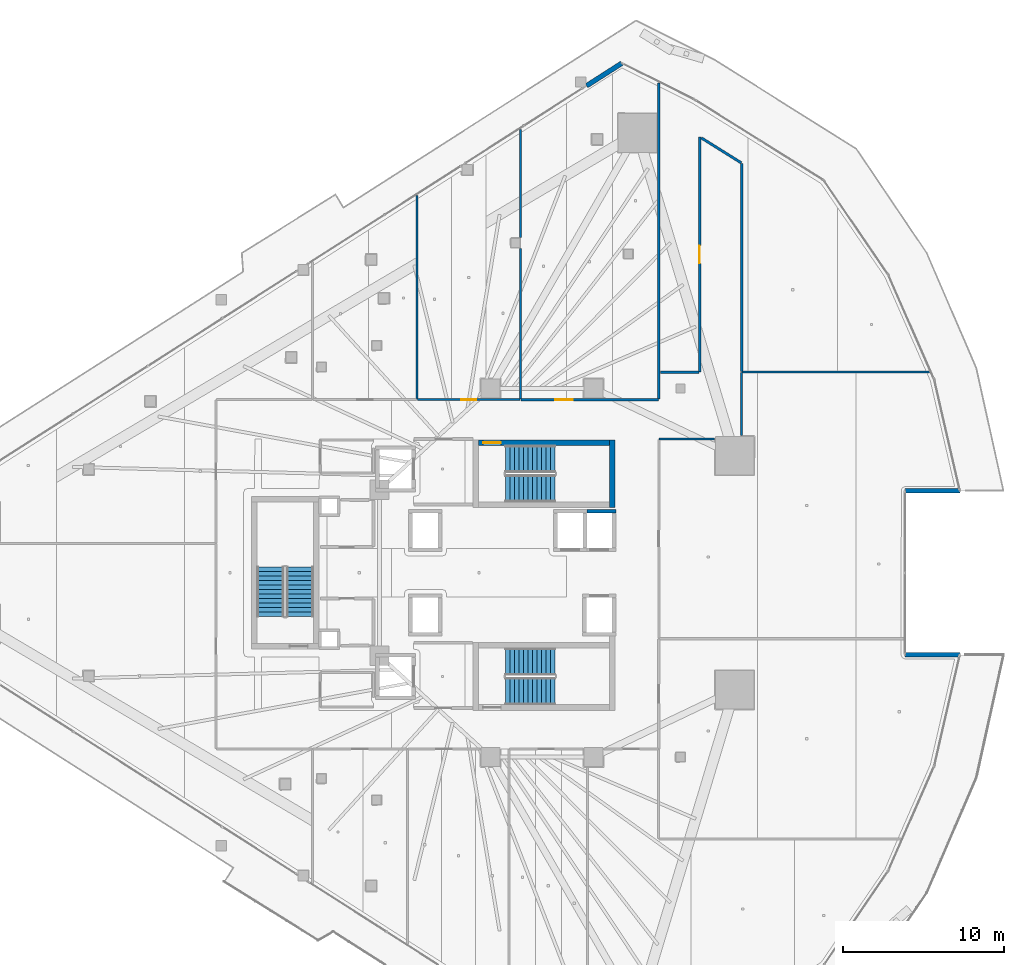
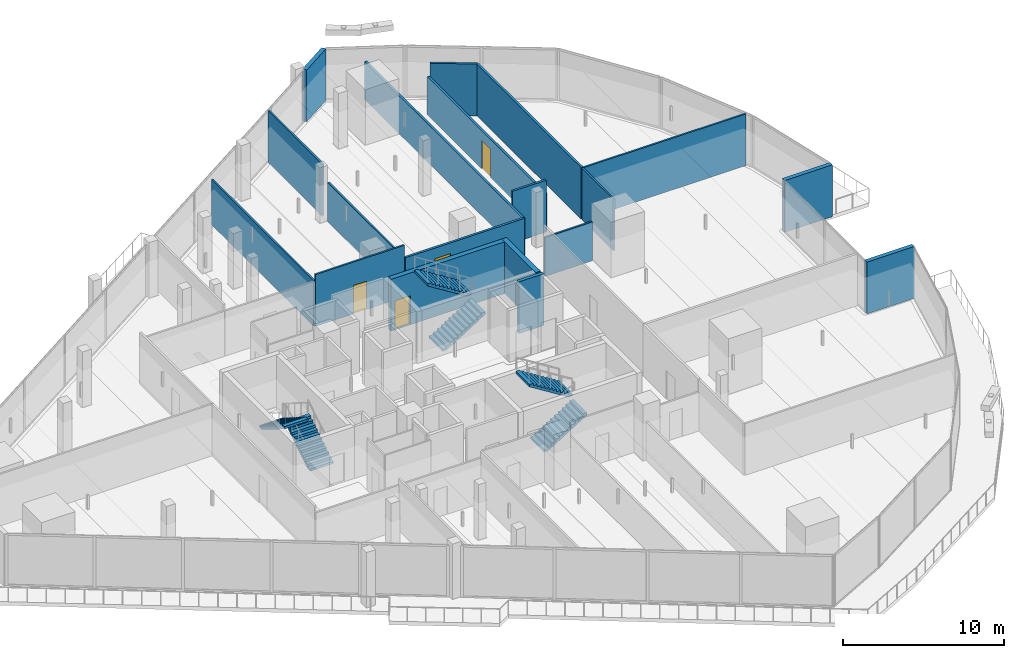
# One storey, part 31 of 45: 19 walls, 6 stair flights, 4 doors, 4 openings, 3 elements without a shape of their own.
"""IFC4 building model written with IfcOpenShell, lengths in metres."""

from ifc_helpers import new_model, si_unit, direction, frame, frame_2d, origin, place, context, subcontext, project, spatial, polyline, rectangle, outline, extrude, material, layer, layer_set, type_object, element, fill, aggregate, save


model = new_model("IFC4")

# Units and contexts
model_context = context("Model", 3, precision=1e-05, world=origin(), true_north=direction((0.0, 1.0)))
body_context = subcontext(model_context, "Body", "Model", "MODEL_VIEW")
ifc_project = project(units=[si_unit("LENGTHUNIT", "METRE"), si_unit("AREAUNIT", "SQUARE_METRE"), si_unit("VOLUMEUNIT", "CUBIC_METRE"), si_unit("PLANEANGLEUNIT", "RADIAN"), si_unit("MASSUNIT", "GRAM", prefix="KILO")], contexts=[model_context])

# Site, building, storey
site_placement = place(None, origin())
site = spatial("IfcSite", under=ifc_project, at=site_placement, CompositionType="ELEMENT")
building_placement = place(site_placement, origin())
building = spatial("IfcBuilding", under=site, at=building_placement, Name="Qorvath Tower", CompositionType="ELEMENT")
storey_placement = place(building_placement, frame((0.0, 0.0, 91.199951171875)))
storey = spatial("IfcBuildingStorey", under=building, at=storey_placement, Name="L20", CompositionType="ELEMENT", Elevation=91.199951171875)

# Wall, opening, door
ifc_material_1 = material(Name="Double acoustic gypsum board on steel studs", Category="steel")
ifc_layer_1 = layer(ifc_material_1, 0.159912109375)
ifc_layer_set_1 = layer_set([ifc_layer_1], Name="IW-ACOUSTIC-160")
wall_type_1 = type_object("IfcWallType", Name="IW-ACOUSTIC-160", PredefinedType="PARTITIONING", material=ifc_layer_set_1)
wall_1_placement = place(storey_placement, frame((-21.716796875, 10.758056640625, 0.0), z_axis=(0.0, 0.0, 1.0), x_axis=(1.0, 0.0, 0.0)))
wall_1 = element("IfcWall", 1, at=wall_1_placement, inside=storey, type_object=wall_type_1, Name="Interior Partition IW-T1-L20-025", PredefinedType="PARTITIONING", context=body_context, shape_type="SweptSolid", body=[
    extrude(rectangle(XDim=8.5419921875, YDim=0.159912109375, at=frame_2d((4.27099609375, 0.0))), origin(), (0.0, 0.0, 1.0), 2.95703125),
])
opening_1_placement = place(wall_1_placement, frame((2.126220703125, 0.0, 0.0)))
opening_1 = element("IfcOpeningElement", 2, at=opening_1_placement, cuts=wall_1, Name="Opening D-T1-L20-07", PredefinedType="OPENING", context=body_context, shape_type="SweptSolid", body=[
    extrude(rectangle(XDim=1.10009765625, YDim=2.14990234375, at=frame_2d((0.550048828125, 1.074951171875))), frame((0.0, 0.08984375, 0.0), z_axis=(0.0, -1.0, 0.0), x_axis=(1.0, 0.0, 0.0)), (0.0, 0.0, 1.0), 0.179931640625),
])
ifc_material_2 = material(Name="Anodised aluminium acoustic framed glass", Category="aluminium")
door_type_1 = type_object("IfcDoorType", Name="D-03", OperationType="NOTDEFINED", PredefinedType="DOOR", material=ifc_material_2)
door_1_placement = place(opening_1_placement, origin())
door_1 = element("IfcDoor", 3, at=door_1_placement, inside=storey, type_object=door_type_1, Name="L20-03 Client Services Office Door D-T1-L20-07", OperationType="SINGLE_SWING_RIGHT", OverallHeight=2.14990234375, OverallWidth=1.10009765625, PredefinedType="DOOR", context=body_context, shape_type="SweptSolid", body=[
    extrude(rectangle(XDim=1.10009765625, YDim=2.14990234375, at=frame_2d((0.550048828125, 1.074951171875))), frame((0.0, 0.02490234375, 0.0), z_axis=(0.0, -1.0, 0.0), x_axis=(1.0, 0.0, 0.0)), (0.0, 0.0, 1.0), 0.050048828125),
])
fill(opening_1, door_1)

# Walls
wall_2_placement = place(storey_placement, frame((-13.14990234375, 10.783203125, 0.0), z_axis=(0.0, 0.0, 1.0), x_axis=(0.0, 1.0, 0.0)))
element("IfcWall", 4, at=wall_2_placement, inside=storey, type_object=wall_type_1, Name="Interior Partition IW-T1-L20-026", PredefinedType="PARTITIONING", context=body_context, shape_type="SweptSolid", body=[
    extrude(rectangle(XDim=19.651123046875, YDim=0.159912109375, at=frame_2d((9.82568359375, 0.0))), origin(), (0.0, 0.0, 1.0), 2.89013671875),
])
wall_3_placement = place(storey_placement, frame((-13.039794921875, 12.464111328125, 0.0), z_axis=(0.0, 0.0, 1.0), x_axis=(1.0, 0.0, 0.0)))
element("IfcWall", 5, at=wall_3_placement, inside=storey, type_object=wall_type_1, Name="Interior Partition IW-T1-L20-043", PredefinedType="PARTITIONING", context=body_context, shape_type="SweptSolid", body=[
    extrude(rectangle(XDim=2.406982421875, YDim=0.159912109375, at=frame_2d((1.20361328125, 0.0))), origin(), (0.0, 0.0, 1.0), 3.920166015625),
])

# Wall, opening, door
wall_4_placement = place(storey_placement, frame((-10.60791015625, 27.066650390625, 0.0), z_axis=(0.0, 0.0, 1.0), x_axis=(0.0, -1.0, 0.0)))
wall_4 = element("IfcWall", 6, at=wall_4_placement, inside=storey, type_object=wall_type_1, Name="Interior Partition IW-T1-L20-044", PredefinedType="PARTITIONING", context=body_context, shape_type="SweptSolid", body=[
    extrude(rectangle(XDim=14.57763671875, YDim=0.159912109375, at=frame_2d((7.288818359375, 0.0))), origin(), (0.0, 0.0, 1.0), 2.89013671875),
])
opening_2_placement = place(wall_4_placement, frame((6.73876953125, 0.0, 0.0)))
opening_2 = element("IfcOpeningElement", 7, at=opening_2_placement, cuts=wall_4, Name="Opening D-T1-L20-14", PredefinedType="OPENING", context=body_context, shape_type="SweptSolid", body=[
    extrude(rectangle(XDim=1.10009765625, YDim=2.14990234375, at=frame_2d((0.550048828125, 1.074951171875))), frame((0.0, 0.08984375, 0.0), z_axis=(0.0, -1.0, 0.0), x_axis=(1.0, 0.0, 0.0)), (0.0, 0.0, 1.0), 0.179931640625),
])
door_2_placement = place(opening_2_placement, origin())
door_2 = element("IfcDoor", 8, at=door_2_placement, inside=storey, type_object=door_type_1, Name="L20-10 Team Project Office Door D-T1-L20-14", OperationType="SINGLE_SWING_LEFT", OverallHeight=2.14990234375, OverallWidth=1.10009765625, PredefinedType="DOOR", context=body_context, shape_type="SweptSolid", body=[
    extrude(rectangle(XDim=1.10009765625, YDim=2.14990234375, at=frame_2d((0.550048828125, 1.074951171875))), frame((0.0, 0.02490234375, 0.0), z_axis=(0.0, -1.0, 0.0), x_axis=(1.0, 0.0, 0.0)), (0.0, 0.0, 1.0), 0.050048828125),
])
fill(opening_2, door_2)

# Walls
wall_5_placement = place(storey_placement, frame((-8.01318359375, 25.471435546875, 0.0), z_axis=(0.0, 0.0, 1.0), x_axis=(-0.848208611734, 0.529662298998, 0.0)))
element("IfcWall", 9, at=wall_5_placement, inside=storey, type_object=wall_type_1, Name="Interior Partition IW-T1-L20-045", PredefinedType="PARTITIONING", context=body_context, shape_type="SweptSolid", body=[
    extrude(rectangle(XDim=2.933837890625, YDim=0.159912109375, at=frame_2d((1.466796875, 0.0))), origin(), (0.0, 0.0, 1.0), 3.920166015625),
])
wall_6_placement = place(storey_placement, frame((-7.991943359375, 25.433349609375, 0.0), z_axis=(0.0, 0.0, 1.0), x_axis=(0.0, -1.0, 0.0)))
element("IfcWall", 10, at=wall_6_placement, inside=storey, type_object=wall_type_1, Name="Interior Partition IW-T1-L20-046", PredefinedType="PARTITIONING", context=body_context, shape_type="SweptSolid", body=[
    extrude(rectangle(XDim=12.93603515625, YDim=0.159912109375, at=frame_2d((6.468017578125, 0.0))), origin(), (0.0, 0.0, 1.0), 3.920166015625),
])
ifc_material_3 = material(Name="Gypsum board on metal studs with mineral wool", Category="gypsum")
ifc_layer_2 = layer(ifc_material_3, 0.125)
ifc_layer_set_2 = layer_set([ifc_layer_2], Name="IW-PART-125")
wall_type_2 = type_object("IfcWallType", Name="IW-PART-125", PredefinedType="PARTITIONING", material=ifc_layer_set_2)
wall_7_placement = place(storey_placement, frame((-28.17041015625, 10.783203125, 0.0), z_axis=(0.0, 0.0, 1.0), x_axis=(0.0, 1.0, 0.0)))
element("IfcWall", 11, at=wall_7_placement, inside=storey, type_object=wall_type_2, Name="Interior Partition IW-T1-L20-020", PredefinedType="PARTITIONING", context=body_context, shape_type="SweptSolid", body=[
    extrude(rectangle(XDim=12.66650390625, YDim=0.125, at=frame_2d((6.333251953125, 0.0))), origin(), (0.0, 0.0, 1.0), 3.43310546875),
])

# Wall, opening, door
wall_8_placement = place(storey_placement, frame((-28.1376953125, 10.758056640625, 0.0), z_axis=(0.0, 0.0, 1.0), x_axis=(1.0, 0.0, 0.0)))
wall_8 = element("IfcWall", 12, at=wall_8_placement, inside=storey, type_object=wall_type_2, Name="Interior Partition IW-T1-L20-022", PredefinedType="PARTITIONING", context=body_context, shape_type="SweptSolid", body=[
    extrude(rectangle(XDim=6.36328125, YDim=0.125, at=frame_2d((3.181640625, 0.0))), origin(), (0.0, 0.0, 1.0), 3.920166015625),
])
opening_3_placement = place(wall_8_placement, frame((2.70654296875, 0.0, 0.0)))
opening_3 = element("IfcOpeningElement", 13, at=opening_3_placement, cuts=wall_8, Name="Opening D-T1-L20-06", PredefinedType="OPENING", context=body_context, shape_type="SweptSolid", body=[
    extrude(rectangle(XDim=0.949951171875, YDim=2.14990234375, at=frame_2d((0.47509765625, 1.074951171875))), frame((0.0, 0.072509765625, 0.0), z_axis=(0.0, -1.0, 0.0), x_axis=(1.0, 0.0, 0.0)), (0.0, 0.0, 1.0), 0.14501953125),
])
ifc_material_4 = material(Name="Solid-core American white oak veneer", Category="wood")
door_type_2 = type_object("IfcDoorType", Name="D-01", OperationType="NOTDEFINED", PredefinedType="DOOR", material=ifc_material_4)
door_3_placement = place(opening_3_placement, origin())
door_3 = element("IfcDoor", 14, at=door_3_placement, inside=storey, type_object=door_type_2, Name="L20-02 Staff Refreshment Pantry and Coffee Bar Door D-T1-L20-06", OperationType="SINGLE_SWING_LEFT", OverallHeight=2.14990234375, OverallWidth=0.949951171875, PredefinedType="DOOR", context=body_context, shape_type="SweptSolid", body=[
    extrude(rectangle(XDim=0.949951171875, YDim=2.14990234375, at=frame_2d((0.47509765625, 1.074951171875))), frame((0.0, 0.02490234375, 0.0), z_axis=(0.0, -1.0, 0.0), x_axis=(1.0, 0.0, 0.0)), (0.0, 0.0, 1.0), 0.050048828125),
])
fill(opening_3, door_3)

# Walls
wall_9_placement = place(storey_placement, frame((-21.74951171875, 10.783203125, 0.0), z_axis=(0.0, 0.0, 1.0), x_axis=(0.0, 1.0, 0.0)))
element("IfcWall", 15, at=wall_9_placement, inside=storey, type_object=wall_type_2, Name="Interior Partition IW-T1-L20-023", PredefinedType="PARTITIONING", context=body_context, shape_type="SweptSolid", body=[
    extrude(rectangle(XDim=9.37158203125, YDim=0.125, at=frame_2d((4.685791015625, 0.0))), origin(), (0.0, 0.0, 1.0), 2.95703125),
])
wall_10_placement = place(storey_placement, frame((-21.74951171875, 20.8349609375, 0.0), z_axis=(0.0, 0.0, 1.0), x_axis=(0.0, 1.0, 0.0)))
element("IfcWall", 16, at=wall_10_placement, inside=storey, type_object=wall_type_2, Name="Interior Partition IW-T1-L20-024", PredefinedType="PARTITIONING", context=body_context, shape_type="SweptSolid", body=[
    extrude(rectangle(XDim=6.718505859375, YDim=0.125, at=frame_2d((3.359375, 0.0))), origin(), (0.0, 0.0, 1.0), 3.920166015625),
])
wall_11_placement = place(storey_placement, frame((3.6962890625, 12.464111328125, 0.0), z_axis=(0.0, 0.0, 1.0), x_axis=(-1.0, 0.0, 0.0)))
element("IfcWall", 17, at=wall_11_placement, inside=storey, type_object=wall_type_2, Name="Interior Partition IW-T1-L20-039", PredefinedType="PARTITIONING", context=body_context, shape_type="SweptSolid", body=[
    extrude(rectangle(XDim=11.6630859375, YDim=0.125, at=frame_2d((5.83154296875, 0.0))), origin(), (0.0, 0.0, 1.0), 3.920166015625),
])
wall_12_placement = place(storey_placement, frame((-7.991943359375, 12.439208984375, 0.0), z_axis=(0.0, 0.0, 1.0), x_axis=(0.0, -1.0, 0.0)))
element("IfcWall", 18, at=wall_12_placement, inside=storey, type_object=wall_type_2, Name="Interior Partition IW-T1-L20-040", PredefinedType="PARTITIONING", context=body_context, shape_type="SweptSolid", body=[
    extrude(rectangle(XDim=3.897705078125, YDim=0.125, at=frame_2d((1.94873046875, 0.0))), origin(), (0.0, 0.0, 1.0), 3.920166015625),
])
wall_13_placement = place(storey_placement, frame((-9.6953125, 8.31201171875, 0.0), z_axis=(0.0, 0.0, 1.0), x_axis=(-1.0, 0.0, 0.0)))
element("IfcWall", 19, at=wall_13_placement, inside=storey, type_object=wall_type_2, Name="Interior Partition IW-T1-L20-041", PredefinedType="PARTITIONING", context=body_context, shape_type="SweptSolid", body=[
    extrude(rectangle(XDim=3.421875, YDim=0.125, at=frame_2d((1.7109375, 0.0))), origin(), (0.0, 0.0, 1.0), 2.95703125),
])
ifc_material_5 = material(Name="Concrete C60/75", Category="concrete")
ifc_layer_3 = layer(ifc_material_5, 0.260009765625)
ifc_layer_set_3 = layer_set([ifc_layer_3], Name="SW-SHAFT")
wall_type_3 = type_object("IfcWallType", Name="SW-SHAFT", PredefinedType="SHEAR", material=ifc_layer_set_3)
wall_14_placement = place(storey_placement, frame((-17.610107421875, 3.820068359375, 0.0), z_axis=(0.0, 0.0, 1.0), x_axis=(1.0, 0.0, 0.0)))
element("IfcWall", 20, at=wall_14_placement, inside=storey, type_object=wall_type_3, Name="Hoistway Wall PL-3 L20 N", PredefinedType="SHEAR", context=body_context, shape_type="SweptSolid", body=[
    extrude(rectangle(XDim=1.800048828125, YDim=0.239990234375, at=frame_2d((0.89990234375, 0.0))), origin(), (0.0, 0.0, 1.0), 3.920166015625),
])
ifc_material_6 = material(Name="Concrete C60/75", Category="concrete")
ifc_layer_4 = layer(ifc_material_6, 0.35009765625)
ifc_layer_set_4 = layer_set([ifc_layer_4], Name="SW-STAIR")
wall_type_4 = type_object("IfcWallType", Name="SW-STAIR", PredefinedType="SHEAR", material=ifc_layer_set_4)
wall_15_placement = place(storey_placement, frame((-16.02490234375, 4.050048828125, 0.0), z_axis=(0.0, 0.0, 1.0), x_axis=(0.0, 1.0, 0.0)))
element("IfcWall", 21, at=wall_15_placement, inside=storey, type_object=wall_type_4, Name="Stair TS1 Shear Wall L20 FAR", PredefinedType="SHEAR", context=body_context, shape_type="SweptSolid", body=[
    extrude(rectangle(XDim=4.2099609375, YDim=0.35009765625, at=frame_2d((2.10498046875, 0.0))), origin(), (0.0, 0.0, 1.0), 3.920166015625),
])

# Wall, opening, door
wall_16_placement = place(storey_placement, frame((-16.215087890625, 8.0849609375, 0.0), z_axis=(0.0, 0.0, 1.0), x_axis=(-1.0, 0.0, 0.0)))
wall_16 = element("IfcWall", 22, at=wall_16_placement, inside=storey, type_object=wall_type_4, Name="Stair TS1 Shear Wall L20 RIGHT", PredefinedType="SHEAR", context=body_context, shape_type="SweptSolid", body=[
    extrude(rectangle(XDim=8.119873046875, YDim=0.35009765625, at=frame_2d((4.06005859375, 0.0))), origin(), (0.0, 0.0, 1.0), 3.920166015625),
])
opening_4_placement = place(wall_16_placement, frame((6.739990234375, 0.0, 0.0)))
opening_4 = element("IfcOpeningElement", 23, at=opening_4_placement, cuts=wall_16, Name="Opening D-TS1-L20", PredefinedType="OPENING", context=body_context, shape_type="SweptSolid", body=[
    extrude(rectangle(XDim=1.10009765625, YDim=2.199951171875, at=frame_2d((0.550048828125, 1.10009765625))), frame((0.0, 0.18505859375, 0.0), z_axis=(0.0, -1.0, 0.0), x_axis=(1.0, 0.0, 0.0)), (0.0, 0.0, 1.0), 0.3701171875),
])
ifc_material_7 = material(Name="Painted galvanised hollow metal", Category="steel")
door_type_3 = type_object("IfcDoorType", Name="FD-90", OperationType="NOTDEFINED", PredefinedType="DOOR", material=ifc_material_7)
door_4_placement = place(opening_4_placement, origin())
door_4 = element("IfcDoor", 24, at=door_4_placement, inside=storey, type_object=door_type_3, Name="Stair TS1 Fire Door L20", OperationType="SINGLE_SWING_LEFT", OverallHeight=2.199951171875, OverallWidth=1.10009765625, PredefinedType="DOOR", context=body_context, shape_type="SweptSolid", body=[
    extrude(rectangle(XDim=1.10009765625, YDim=2.199951171875, at=frame_2d((0.550048828125, 1.10009765625))), frame((0.0, 0.02490234375, 0.0), z_axis=(0.0, -1.0, 0.0), x_axis=(1.0, 0.0, 0.0)), (0.0, 0.0, 1.0), 0.050048828125),
])
fill(opening_4, door_4)

# Walls
ifc_material_8 = material(Name="Precast concrete C45/55", Category="concrete")
ifc_layer_5 = layer(ifc_material_8, 0.300048828125)
ifc_layer_set_5 = layer_set([ifc_layer_5], Name="WL-EW-LOG-300")
wall_type_5 = type_object("IfcWallType", Name="WL-EW-LOG-300", PredefinedType="SOLIDWALL", material=ifc_layer_set_5)
for number, where, z_axis, x_axis, name in (
    (25, (5.57080078125, -5.09765625, 0.0), (0.0, 0.0, 1.0), (-1.0, 0.0, 0.0), "Tower Precast Loggia Wall L20-8.1"),
    (26, (2.17236328125, 5.09765625, 0.0), (0.0, 0.0, 1.0), (1.0, 0.0, 0.0), "Tower Precast Loggia Wall L20-10.1"),
):
    element("IfcWall", number, at=place(storey_placement, frame(where, z_axis=z_axis, x_axis=x_axis)), inside=storey, type_object=wall_type_5, Name=name, PredefinedType="SOLIDWALL", context=body_context, shape_type="SweptSolid", body=[
        extrude(rectangle(XDim=3.3984375, YDim=0.300048828125, at=frame_2d((1.69921875, 0.0))), origin(), (0.0, 0.0, 1.0), 3.920166015625),
    ])
wall_17_placement = place(storey_placement, frame((-17.6298828125, 30.266357421875, 0.0), z_axis=(0.0, 0.0, 1.0), x_axis=(0.84258941289, 0.538556479198, 0.0)))
element("IfcWall", 27, at=wall_17_placement, inside=storey, type_object=wall_type_5, Name="Tower Precast Loggia Wall L20-16.1", PredefinedType="SOLIDWALL", context=body_context, shape_type="SweptSolid", body=[
    extrude(rectangle(XDim=2.592041015625, YDim=0.300048828125, at=frame_2d((1.2958984375, 0.0))), origin(), (0.0, 0.0, 1.0), 3.920166015625),
])

# Stair, stair flights
ifc_material_9 = material(Name="Concrete C50/60", Category="concrete")
stair_type = type_object("IfcStairType", Name="ST-H420", PredefinedType="HALF_TURN_STAIR", material=ifc_material_9)
stair_1_placement = place(storey_placement, origin())
stair_1 = element("IfcStair", 28, at=stair_1_placement, inside=storey, type_object=stair_type, Name="L20 Tower Exit Stair 1", PredefinedType="HALF_TURN_STAIR")
ifc_material_10 = material(Name="Concrete C50/60", Category="concrete")
ifc_layer_6 = layer(ifc_material_10, 0.14990234375)
ifc_layer_set_6 = layer_set([ifc_layer_6], Name="SF-H420")
stair_flight_type = type_object("IfcStairFlightType", Name="SF-H420", PredefinedType="STRAIGHT", material=ifc_layer_set_6)
stair_flight_1_placement = place(storey_placement, frame((-22.669921875, 5.239990234375, 0.0), z_axis=(0.0, 0.0, 1.0), x_axis=(1.0, 0.0, 0.0)))
stair_flight_1 = element("IfcStairFlight", 29, at=stair_flight_1_placement, type_object=stair_flight_type, Name="TS1 flight 1", NumberOfRisers=12, NumberOfTreads=11, PredefinedType="STRAIGHT", RiserHeight=0.175, TreadLength=0.28, context=body_context, shape_type="SweptSolid", body=[
    extrude(outline(polyline([(0.0, 0.0), (0.0, 0.175048828125), (0.280029296875, 0.175048828125), (0.280029296875, 0.35009765625), (0.56005859375, 0.35009765625), (0.56005859375, 0.52490234375), (0.840087890625, 0.52490234375), (0.840087890625, 0.699951171875), (1.1201171875, 0.699951171875), (1.1201171875, 0.875), (1.39990234375, 0.875), (1.39990234375, 1.050048828125), (1.679931640625, 1.050048828125), (1.679931640625, 1.22509765625), (1.9599609375, 1.22509765625), (1.9599609375, 1.39990234375), (2.239990234375, 1.39990234375), (2.239990234375, 1.574951171875), (2.52001953125, 1.574951171875), (2.52001953125, 1.75), (2.800048828125, 1.75), (2.800048828125, 1.925048828125), (3.080078125, 1.925048828125), (3.080078125, 2.10009765625), (3.080078125, 1.748291015625), (0.28271484375, 0.0), (0.0, 0.0)])), frame((0.0, 0.83984375, 0.0), z_axis=(0.0, -1.0, 0.0), x_axis=(1.0, 0.0, 0.0)), (0.0, 0.0, 1.0), 1.679931640625),
])
stair_flight_2_placement = place(storey_placement, frame((-19.590087890625, 7.070068359375, 2.10009765625), z_axis=(0.0, 0.0, 1.0), x_axis=(-1.0, 0.0, 0.0)))
stair_flight_2 = element("IfcStairFlight", 30, at=stair_flight_2_placement, type_object=stair_flight_type, Name="TS1 flight 2", NumberOfRisers=12, NumberOfTreads=11, PredefinedType="STRAIGHT", RiserHeight=0.175, TreadLength=0.28, context=body_context, shape_type="SweptSolid", body=[
    extrude(outline(polyline([(0.0, 0.0), (0.0, 0.175048828125), (0.280029296875, 0.175048828125), (0.280029296875, 0.35009765625), (0.56005859375, 0.35009765625), (0.56005859375, 0.52490234375), (0.840087890625, 0.52490234375), (0.840087890625, 0.699951171875), (1.1201171875, 0.699951171875), (1.1201171875, 0.875), (1.39990234375, 0.875), (1.39990234375, 1.050048828125), (1.679931640625, 1.050048828125), (1.679931640625, 1.22509765625), (1.9599609375, 1.22509765625), (1.9599609375, 1.39990234375), (2.239990234375, 1.39990234375), (2.239990234375, 1.574951171875), (2.52001953125, 1.574951171875), (2.52001953125, 1.75), (2.800048828125, 1.75), (2.800048828125, 1.925048828125), (3.080078125, 1.925048828125), (3.080078125, 2.10009765625), (3.080078125, 1.748291015625), (0.28271484375, 0.0), (0.0, 0.0)])), frame((0.0, 0.83984375, 0.0), z_axis=(0.0, -1.0, 0.0), x_axis=(1.0, 0.0, 0.0)), (0.0, 0.0, 1.0), 1.679931640625),
])
aggregate(stair_1, [stair_flight_1, stair_flight_2])

stair_2_placement = place(storey_placement, origin())
stair_2 = element("IfcStair", 31, at=stair_2_placement, inside=storey, type_object=stair_type, Name="L20 Tower Exit Stair 2", PredefinedType="HALF_TURN_STAIR")
stair_flight_3_placement = place(storey_placement, frame((-22.669921875, -7.360107421875, 0.0), z_axis=(0.0, 0.0, 1.0), x_axis=(1.0, 0.0, 0.0)))
stair_flight_3 = element("IfcStairFlight", 32, at=stair_flight_3_placement, type_object=stair_flight_type, Name="TS2 flight 1", NumberOfRisers=12, NumberOfTreads=11, PredefinedType="STRAIGHT", RiserHeight=0.175, TreadLength=0.28, context=body_context, shape_type="SweptSolid", body=[
    extrude(outline(polyline([(0.0, 0.0), (0.0, 0.175048828125), (0.280029296875, 0.175048828125), (0.280029296875, 0.35009765625), (0.56005859375, 0.35009765625), (0.56005859375, 0.52490234375), (0.840087890625, 0.52490234375), (0.840087890625, 0.699951171875), (1.1201171875, 0.699951171875), (1.1201171875, 0.875), (1.39990234375, 0.875), (1.39990234375, 1.050048828125), (1.679931640625, 1.050048828125), (1.679931640625, 1.22509765625), (1.9599609375, 1.22509765625), (1.9599609375, 1.39990234375), (2.239990234375, 1.39990234375), (2.239990234375, 1.574951171875), (2.52001953125, 1.574951171875), (2.52001953125, 1.75), (2.800048828125, 1.75), (2.800048828125, 1.925048828125), (3.080078125, 1.925048828125), (3.080078125, 2.10009765625), (3.080078125, 1.748291015625), (0.28271484375, 0.0), (0.0, 0.0)])), frame((0.0, 0.83984375, 0.0), z_axis=(0.0, -1.0, 0.0), x_axis=(1.0, 0.0, 0.0)), (0.0, 0.0, 1.0), 1.679931640625),
])
stair_flight_4_placement = place(storey_placement, frame((-19.590087890625, -5.530029296875, 2.10009765625), z_axis=(0.0, 0.0, 1.0), x_axis=(-1.0, 0.0, 0.0)))
stair_flight_4 = element("IfcStairFlight", 33, at=stair_flight_4_placement, type_object=stair_flight_type, Name="TS2 flight 2", NumberOfRisers=12, NumberOfTreads=11, PredefinedType="STRAIGHT", RiserHeight=0.175, TreadLength=0.28, context=body_context, shape_type="SweptSolid", body=[
    extrude(outline(polyline([(0.0, 0.0), (0.0, 0.175048828125), (0.280029296875, 0.175048828125), (0.280029296875, 0.35009765625), (0.56005859375, 0.35009765625), (0.56005859375, 0.52490234375), (0.840087890625, 0.52490234375), (0.840087890625, 0.699951171875), (1.1201171875, 0.699951171875), (1.1201171875, 0.875), (1.39990234375, 0.875), (1.39990234375, 1.050048828125), (1.679931640625, 1.050048828125), (1.679931640625, 1.22509765625), (1.9599609375, 1.22509765625), (1.9599609375, 1.39990234375), (2.239990234375, 1.39990234375), (2.239990234375, 1.574951171875), (2.52001953125, 1.574951171875), (2.52001953125, 1.75), (2.800048828125, 1.75), (2.800048828125, 1.925048828125), (3.080078125, 1.925048828125), (3.080078125, 2.10009765625), (3.080078125, 1.748291015625), (0.28271484375, 0.0), (0.0, 0.0)])), frame((0.0, 0.83984375, 0.0), z_axis=(0.0, -1.0, 0.0), x_axis=(1.0, 0.0, 0.0)), (0.0, 0.0, 1.0), 1.679931640625),
])
aggregate(stair_2, [stair_flight_3, stair_flight_4])

stair_3_placement = place(storey_placement, origin())
stair_3 = element("IfcStair", 34, at=stair_3_placement, inside=storey, type_object=stair_type, Name="L20 Tower Exit Stair 3", PredefinedType="HALF_TURN_STAIR")
stair_flight_5_placement = place(storey_placement, frame((-35.43994140625, -2.719970703125, 0.0), z_axis=(0.0, 0.0, 1.0), x_axis=(0.0, 1.0, 0.0)))
stair_flight_5 = element("IfcStairFlight", 35, at=stair_flight_5_placement, type_object=stair_flight_type, Name="TS3 flight 1", NumberOfRisers=12, NumberOfTreads=11, PredefinedType="STRAIGHT", RiserHeight=0.175, TreadLength=0.28, context=body_context, shape_type="SweptSolid", body=[
    extrude(outline(polyline([(0.0, 0.0), (0.0, 0.175048828125), (0.280029296875, 0.175048828125), (0.280029296875, 0.35009765625), (0.56005859375, 0.35009765625), (0.56005859375, 0.52490234375), (0.840087890625, 0.52490234375), (0.840087890625, 0.699951171875), (1.1201171875, 0.699951171875), (1.1201171875, 0.875), (1.39990234375, 0.875), (1.39990234375, 1.050048828125), (1.679931640625, 1.050048828125), (1.679931640625, 1.22509765625), (1.9599609375, 1.22509765625), (1.9599609375, 1.39990234375), (2.239990234375, 1.39990234375), (2.239990234375, 1.574951171875), (2.52001953125, 1.574951171875), (2.52001953125, 1.75), (2.800048828125, 1.75), (2.800048828125, 1.925048828125), (3.080078125, 1.925048828125), (3.080078125, 2.10009765625), (3.080078125, 1.748291015625), (0.28271484375, 0.0), (0.0, 0.0)])), frame((0.0, 0.83984375, 0.0), z_axis=(0.0, -1.0, 0.0), x_axis=(1.0, 0.0, 0.0)), (0.0, 0.0, 1.0), 1.679931640625),
])
stair_flight_6_placement = place(storey_placement, frame((-37.27001953125, 0.360107421875, 2.10009765625), z_axis=(0.0, 0.0, 1.0), x_axis=(0.0, -1.0, 0.0)))
stair_flight_6 = element("IfcStairFlight", 36, at=stair_flight_6_placement, type_object=stair_flight_type, Name="TS3 flight 2", NumberOfRisers=12, NumberOfTreads=11, PredefinedType="STRAIGHT", RiserHeight=0.175, TreadLength=0.28, context=body_context, shape_type="SweptSolid", body=[
    extrude(outline(polyline([(0.0, 0.0), (0.0, 0.175048828125), (0.280029296875, 0.175048828125), (0.280029296875, 0.35009765625), (0.56005859375, 0.35009765625), (0.56005859375, 0.52490234375), (0.840087890625, 0.52490234375), (0.840087890625, 0.699951171875), (1.1201171875, 0.699951171875), (1.1201171875, 0.875), (1.39990234375, 0.875), (1.39990234375, 1.050048828125), (1.679931640625, 1.050048828125), (1.679931640625, 1.22509765625), (1.9599609375, 1.22509765625), (1.9599609375, 1.39990234375), (2.239990234375, 1.39990234375), (2.239990234375, 1.574951171875), (2.52001953125, 1.574951171875), (2.52001953125, 1.75), (2.800048828125, 1.75), (2.800048828125, 1.925048828125), (3.080078125, 1.925048828125), (3.080078125, 2.10009765625), (3.080078125, 1.748291015625), (0.28271484375, 0.0), (0.0, 0.0)])), frame((0.0, 0.83984375, 0.0), z_axis=(0.0, -1.0, 0.0), x_axis=(1.0, 0.0, 0.0)), (0.0, 0.0, 1.0), 1.679931640625),
])
aggregate(stair_3, [stair_flight_5, stair_flight_6])

save(model, "model.ifc")
